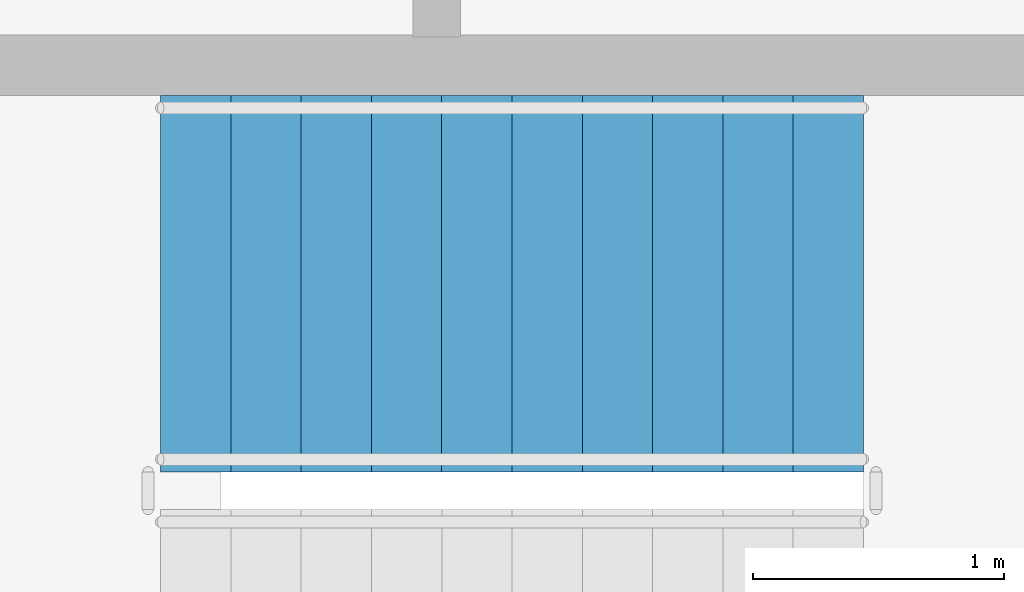
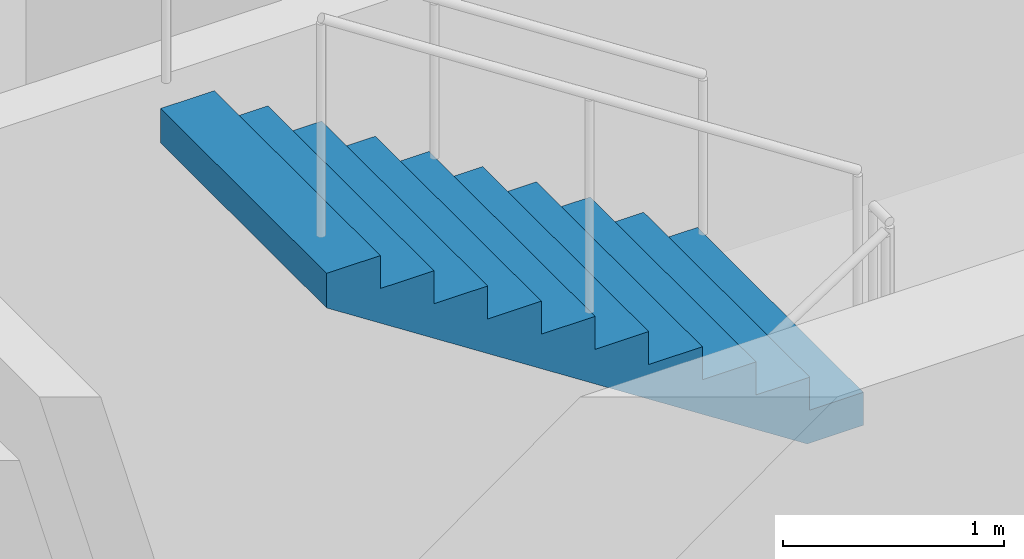
# One storey, part 8 of 10: 1 stair flight, 1 element without a shape of its own.
"""IFC4 building model written with IfcOpenShell, lengths in metres."""

from ifc_helpers import new_model, si_unit, direction, frame, origin, place, context, subcontext, project, spatial, polyline, outline, extrude, material, type_object, element, aggregate, save


model = new_model("IFC4")

# Units and contexts
model_context = context("Model", 3, precision=1e-05, world=origin(), true_north=direction((0.0, 1.0)))
body_context = subcontext(model_context, "Body", "Model", "MODEL_VIEW")
ifc_project = project(units=[si_unit("LENGTHUNIT", "METRE"), si_unit("AREAUNIT", "SQUARE_METRE"), si_unit("VOLUMEUNIT", "CUBIC_METRE"), si_unit("PLANEANGLEUNIT", "RADIAN"), si_unit("MASSUNIT", "GRAM", prefix="KILO")], contexts=[model_context])

# Site, building, storey
site_placement = place(None, origin())
site = spatial("IfcSite", under=ifc_project, at=site_placement, CompositionType="ELEMENT")
building_placement = place(site_placement, origin())
building = spatial("IfcBuilding", under=site, at=building_placement, Name="Qianrong Seaharbour Tower", CompositionType="ELEMENT")
storey_placement = place(building_placement, frame((0.0, 0.0, 159.0)))
storey = spatial("IfcBuildingStorey", under=building, at=storey_placement, Name="L38", CompositionType="ELEMENT", Elevation=159.0)

# Stair, stair flight
ifc_material = material(Name="Concrete C50/60", Category="concrete")
stair_type = type_object("IfcStairType", Name="STAIR-DOGLEG-1500-R22", PredefinedType="HALF_TURN_STAIR", material=ifc_material)
stair_placement = place(storey_placement, origin())
stair = element("IfcStair", 1, at=stair_placement, inside=storey, type_object=stair_type, Name="L38 Protected Escape Stair ST-2", PredefinedType="HALF_TURN_STAIR")
stair_flight_type = type_object("IfcStairFlightType", Name="FLIGHT-STR-1500-R22", PredefinedType="STRAIGHT", material=ifc_material)
stair_flight_placement = place(storey_placement, frame((59.89990234375, 39.0, 2.0), z_axis=(0.0, 0.0, 1.0), x_axis=(-1.0, 0.0, 0.0)))
stair_flight = element("IfcStairFlight", 2, at=stair_flight_placement, type_object=stair_flight_type, Name="ST-2 flight 2", NumberOfRisers=11, NumberOfTreads=10, PredefinedType="STRAIGHT", RiserHeight=0.181818182, TreadLength=0.28, context=body_context, shape_type="SweptSolid", body=[
    extrude(outline(polyline([(0.0, 0.0), (0.0, 0.181884765625), (0.280029296875, 0.181884765625), (0.280029296875, 0.363525390625), (0.56005859375, 0.363525390625), (0.56005859375, 0.54541015625), (0.840087890625, 0.54541015625), (0.840087890625, 0.727294921875), (1.1201171875, 0.727294921875), (1.1201171875, 0.9091796875), (1.39990234375, 0.9091796875), (1.39990234375, 1.0908203125), (1.679931640625, 1.0908203125), (1.679931640625, 1.272705078125), (1.9599609375, 1.272705078125), (1.9599609375, 1.45458984375), (2.239990234375, 1.45458984375), (2.239990234375, 1.636474609375), (2.52001953125, 1.636474609375), (2.52001953125, 1.818115234375), (2.800048828125, 1.818115234375), (2.800048828125, 2.0), (2.800048828125, 1.62744140625), (0.293701171875, 0.0), (0.0, 0.0)])), frame((0.0, 0.75, 0.0), z_axis=(0.0, -1.0, 0.0), x_axis=(1.0, 0.0, 0.0)), (0.0, 0.0, 1.0), 1.5),
])
aggregate(stair, [stair_flight])

save(model, "model.ifc")
